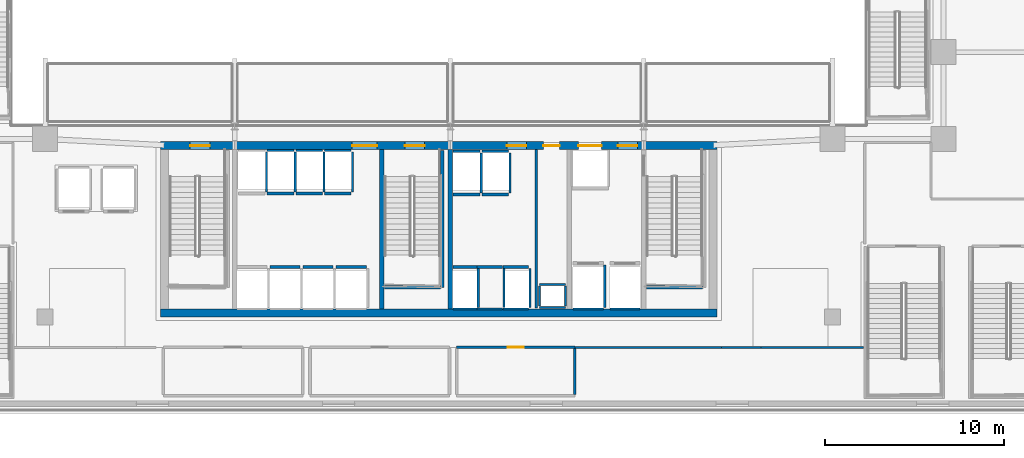
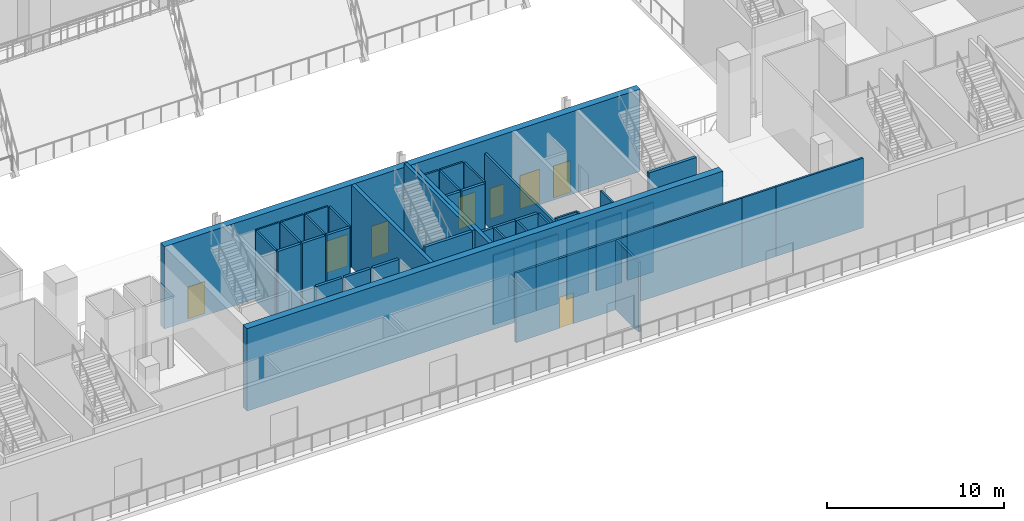
# One storey, part 9 of 30: 48 walls, 8 doors, 8 openings.
"""IFC4 building model written with IfcOpenShell, lengths in metres."""

from ifc_helpers import new_model, si_unit, direction, frame, frame_2d, origin, place, context, subcontext, project, spatial, rectangle, extrude, material, layer, layer_set, type_object, element, fill, save


model = new_model("IFC4")

# Units and contexts
model_context = context("Model", 3, precision=1e-05, world=origin(), true_north=direction((0.0, 1.0)))
body_context = subcontext(model_context, "Body", "Model", "MODEL_VIEW")
ifc_project = project(units=[si_unit("LENGTHUNIT", "METRE"), si_unit("AREAUNIT", "SQUARE_METRE"), si_unit("VOLUMEUNIT", "CUBIC_METRE"), si_unit("PLANEANGLEUNIT", "RADIAN"), si_unit("MASSUNIT", "GRAM", prefix="KILO")], contexts=[model_context])

# Site, building, storey
site_placement = place(None, origin())
site = spatial("IfcSite", under=ifc_project, at=site_placement, CompositionType="ELEMENT")
building_placement = place(site_placement, origin())
building = spatial("IfcBuilding", under=site, at=building_placement, Name="Ndaravel Arena Tower", CompositionType="ELEMENT")
storey_placement = place(building_placement, frame((0.0, 0.0, 6.0)))
storey = spatial("IfcBuildingStorey", under=building, at=storey_placement, Name="L01", CompositionType="ELEMENT", Elevation=6.0)

# Walls
ifc_material_1 = material(Name="Gypsum", Category="gypsum")
ifc_layer_1 = layer(ifc_material_1, 0.14990234375)
ifc_layer_set_1 = layer_set([ifc_layer_1], Name="Gypsum")
wall_type_1 = type_object("IfcWallType", Name="WALL-COMP-150", PredefinedType="PARTITIONING", material=ifc_layer_set_1)
wall_1_placement = place(storey_placement, frame((47.449951171875, 5.89990234375, 0.0), z_axis=(0.0, 0.0, 1.0), x_axis=(0.0, 1.0, 0.0)))
element("IfcWall", 1, at=wall_1_placement, inside=storey, type_object=wall_type_1, Name="L01 Core Riser Bay Partition", PredefinedType="PARTITIONING", context=body_context, shape_type="SweptSolid", body=[
    extrude(rectangle(XDim=8.85009765625, YDim=0.14990234375, at=frame_2d((4.425048828125, 0.0))), origin(), (0.0, 0.0, 1.0), 4.819091796875),
])
ifc_material_2 = material(Name="Concrete C60/75", Category="concrete")
ifc_layer_2 = layer(ifc_material_2, 0.25)
ifc_layer_set_2 = layer_set([ifc_layer_2], Name="Concrete C60/75")
wall_type_2 = type_object("IfcWallType", Name="WALL-CORE-250", PredefinedType="SOLIDWALL", material=ifc_layer_set_2)
for number, where, z_axis, x_axis, name in (
    (2, (38.800048828125, 5.85009765625, 0.0), (0.0, 0.0, 1.0), (0.0, 1.0, 0.0), "L01 Core Web Shear Wall 2"),
    (3, (42.64990234375, 5.85009765625, 0.0), (0.0, 0.0, 1.0), (0.0, 1.0, 0.0), "L01 Core Web Shear Wall 3"),
):
    element("IfcWall", number, at=place(storey_placement, frame(where, z_axis=z_axis, x_axis=x_axis)), inside=storey, type_object=wall_type_2, Name=name, PredefinedType="SOLIDWALL", context=body_context, shape_type="SweptSolid", body=[
        extrude(rectangle(XDim=8.89990234375, YDim=0.25, at=frame_2d((4.449951171875, 0.0))), origin(), (0.0, 0.0, 1.0), 5.699951171875),
    ])

# Wall, openings, doors
ifc_material_3 = material(Name="Concrete C60/75", Category="concrete")
ifc_layer_3 = layer(ifc_material_3, 0.449951171875)
ifc_layer_set_3 = layer_set([ifc_layer_3], Name="Concrete C60/75")
wall_type_3 = type_object("IfcWallType", Name="WALL-CORE-450", PredefinedType="SOLIDWALL", material=ifc_layer_set_3)
wall_2_placement = place(storey_placement, frame((26.449951171875, 14.97509765625, 0.0), z_axis=(0.0, 0.0, 1.0), x_axis=(1.0, 0.0, 0.0)))
wall_2 = element("IfcWall", 4, at=wall_2_placement, inside=storey, type_object=wall_type_3, Name="L01 Core North Shear Wall", PredefinedType="SOLIDWALL", context=body_context, shape_type="SweptSolid", body=[
    extrude(rectangle(XDim=31.10009765625, YDim=0.449951171875, at=frame_2d((15.550048828125, 0.0))), origin(), (0.0, 0.0, 1.0), 5.699951171875),
])
opening_1_placement = place(wall_2_placement, frame((1.64990234375, 0.0, 0.0)))
opening_1 = element("IfcOpeningElement", 5, at=opening_1_placement, cuts=wall_2, Name="Opening FD-01", PredefinedType="OPENING", context=body_context, shape_type="SweptSolid", body=[
    extrude(rectangle(XDim=1.10009765625, YDim=2.199951171875, at=frame_2d((0.550048828125, 1.10009765625))), frame((0.0, 0.22509765625, 0.0), z_axis=(0.0, -1.0, 0.0), x_axis=(1.0, 0.0, 0.0)), (0.0, 0.0, 1.0), 0.449951171875),
])
opening_2_placement = place(wall_2_placement, frame((13.64990234375, 0.0, 0.0)))
opening_2 = element("IfcOpeningElement", 6, at=opening_2_placement, cuts=wall_2, Name="Opening FD-01", PredefinedType="OPENING", context=body_context, shape_type="SweptSolid", body=[
    extrude(rectangle(XDim=1.10009765625, YDim=2.199951171875, at=frame_2d((0.550048828125, 1.10009765625))), frame((0.0, 0.22509765625, 0.0), z_axis=(0.0, -1.0, 0.0), x_axis=(1.0, 0.0, 0.0)), (0.0, 0.0, 1.0), 0.449951171875),
])
opening_3_placement = place(wall_2_placement, frame((25.550048828125, 0.0, 0.0)))
opening_3 = element("IfcOpeningElement", 7, at=opening_3_placement, cuts=wall_2, Name="Opening FD-01", PredefinedType="OPENING", context=body_context, shape_type="SweptSolid", body=[
    extrude(rectangle(XDim=1.10009765625, YDim=2.199951171875, at=frame_2d((0.550048828125, 1.10009765625))), frame((0.0, 0.22509765625, 0.0), z_axis=(0.0, -1.0, 0.0), x_axis=(1.0, 0.0, 0.0)), (0.0, 0.0, 1.0), 0.449951171875),
])
opening_4_placement = place(wall_2_placement, frame((10.699951171875, 0.0, 0.0)))
opening_4 = element("IfcOpeningElement", 8, at=opening_4_placement, cuts=wall_2, Name="Opening ID-02", PredefinedType="OPENING", context=body_context, shape_type="SweptSolid", body=[
    extrude(rectangle(XDim=1.39990234375, YDim=2.199951171875, at=frame_2d((0.699951171875, 1.10009765625))), frame((0.0, 0.22509765625, 0.0), z_axis=(0.0, -1.0, 0.0), x_axis=(1.0, 0.0, 0.0)), (0.0, 0.0, 1.0), 0.449951171875),
])
opening_5_placement = place(wall_2_placement, frame((19.35009765625, 0.0, 0.0)))
opening_5 = element("IfcOpeningElement", 9, at=opening_5_placement, cuts=wall_2, Name="Opening FD-01", PredefinedType="OPENING", context=body_context, shape_type="SweptSolid", body=[
    extrude(rectangle(XDim=1.10009765625, YDim=2.199951171875, at=frame_2d((0.550048828125, 1.10009765625))), frame((0.0, 0.22509765625, 0.0), z_axis=(0.0, -1.0, 0.0), x_axis=(1.0, 0.0, 0.0)), (0.0, 0.0, 1.0), 0.449951171875),
])
opening_6_placement = place(wall_2_placement, frame((21.39990234375, 0.0, 0.0)))
opening_6 = element("IfcOpeningElement", 10, at=opening_6_placement, cuts=wall_2, Name="Opening RD-01", PredefinedType="OPENING", context=body_context, shape_type="SweptSolid", body=[
    extrude(rectangle(XDim=0.89990234375, YDim=2.10009765625, at=frame_2d((0.449951171875, 1.050048828125))), frame((0.0, 0.22509765625, 0.0), z_axis=(0.0, -1.0, 0.0), x_axis=(1.0, 0.0, 0.0)), (0.0, 0.0, 1.0), 0.449951171875),
])
opening_7_placement = place(wall_2_placement, frame((23.35009765625, 0.0, 0.0)))
opening_7 = element("IfcOpeningElement", 11, at=opening_7_placement, cuts=wall_2, Name="Opening LD-02", PredefinedType="OPENING", context=body_context, shape_type="SweptSolid", body=[
    extrude(rectangle(XDim=1.300048828125, YDim=2.300048828125, at=frame_2d((0.64990234375, 1.14990234375))), frame((0.0, 0.22509765625, 0.0), z_axis=(0.0, -1.0, 0.0), x_axis=(1.0, 0.0, 0.0)), (0.0, 0.0, 1.0), 0.449951171875),
])
ifc_material_4 = material(Name="Steel S355", Category="steel")
door_type_1 = type_object("IfcDoorType", Name="DT-01-STAIR-1100", OperationType="SINGLE_SWING_LEFT", PredefinedType="DOOR", material=ifc_material_4)
door_1_placement = place(opening_1_placement, origin())
door_1 = element("IfcDoor", 12, at=door_1_placement, inside=storey, type_object=door_type_1, Name="L01 Exit Stair ST-1 Door", OperationType="SINGLE_SWING_RIGHT", OverallHeight=2.199951171875, OverallWidth=1.10009765625, PredefinedType="DOOR", context=body_context, shape_type="SweptSolid", body=[
    extrude(rectangle(XDim=1.10009765625, YDim=2.199951171875, at=frame_2d((0.550048828125, 1.10009765625))), frame((0.0, 0.02490234375, 0.0), z_axis=(0.0, -1.0, 0.0), x_axis=(1.0, 0.0, 0.0)), (0.0, 0.0, 1.0), 0.050048828125),
])
fill(opening_1, door_1)
door_2_placement = place(opening_2_placement, origin())
door_2 = element("IfcDoor", 13, at=door_2_placement, inside=storey, type_object=door_type_1, Name="L01 Exit Stair ST-2 Door", OperationType="SINGLE_SWING_LEFT", OverallHeight=2.199951171875, OverallWidth=1.10009765625, PredefinedType="DOOR", context=body_context, shape_type="SweptSolid", body=[
    extrude(rectangle(XDim=1.10009765625, YDim=2.199951171875, at=frame_2d((0.550048828125, 1.10009765625))), frame((0.0, 0.02490234375, 0.0), z_axis=(0.0, -1.0, 0.0), x_axis=(1.0, 0.0, 0.0)), (0.0, 0.0, 1.0), 0.050048828125),
])
fill(opening_2, door_2)
door_3_placement = place(opening_3_placement, origin())
door_3 = element("IfcDoor", 14, at=door_3_placement, inside=storey, type_object=door_type_1, Name="L01 Firefighting Lift Lobby Door", OperationType="SINGLE_SWING_RIGHT", OverallHeight=2.199951171875, OverallWidth=1.10009765625, PredefinedType="DOOR", context=body_context, shape_type="SweptSolid", body=[
    extrude(rectangle(XDim=1.10009765625, YDim=2.199951171875, at=frame_2d((0.550048828125, 1.10009765625))), frame((0.0, 0.02490234375, 0.0), z_axis=(0.0, -1.0, 0.0), x_axis=(1.0, 0.0, 0.0)), (0.0, 0.0, 1.0), 0.050048828125),
])
fill(opening_3, door_3)
door_4_placement = place(opening_5_placement, origin())
door_4 = element("IfcDoor", 15, at=door_4_placement, inside=storey, type_object=door_type_1, Name="L01 Express Lift Lobby Entry Door", OperationType="SINGLE_SWING_LEFT", OverallHeight=2.199951171875, OverallWidth=1.10009765625, PredefinedType="DOOR", context=body_context, shape_type="SweptSolid", body=[
    extrude(rectangle(XDim=1.10009765625, YDim=2.199951171875, at=frame_2d((0.550048828125, 1.10009765625))), frame((0.0, 0.02490234375, 0.0), z_axis=(0.0, -1.0, 0.0), x_axis=(1.0, 0.0, 0.0)), (0.0, 0.0, 1.0), 0.050048828125),
])
fill(opening_5, door_4)
ifc_material_5 = material(Name="Timber", Category="wood")
door_type_2 = type_object("IfcDoorType", Name="DT-04-SUITE-1400", OperationType="DOUBLE_DOOR_SINGLE_SWING", PredefinedType="DOOR", material=ifc_material_5)
door_5_placement = place(opening_4_placement, origin())
door_5 = element("IfcDoor", 16, at=door_5_placement, inside=storey, type_object=door_type_2, Name="L01 West Lift Lobby Entry Door", OperationType="DOUBLE_DOOR_SINGLE_SWING", OverallHeight=2.199951171875, OverallWidth=1.39990234375, PredefinedType="DOOR", context=body_context, shape_type="SweptSolid", body=[
    extrude(rectangle(XDim=1.39990234375, YDim=2.199951171875, at=frame_2d((0.699951171875, 1.10009765625))), frame((0.0, 0.02490234375, 0.0), z_axis=(0.0, -1.0, 0.0), x_axis=(1.0, 0.0, 0.0)), (0.0, 0.0, 1.0), 0.050048828125),
])
fill(opening_4, door_5)
ifc_material_6 = material(Name="Steel S355", Category="steel")
door_type_3 = type_object("IfcDoorType", Name="DT-07-SVLIFT-1300", OperationType="DOUBLE_DOOR_SLIDING", PredefinedType="DOOR", material=ifc_material_6)
door_6_placement = place(opening_7_placement, origin())
door_6 = element("IfcDoor", 17, at=door_6_placement, inside=storey, type_object=door_type_3, Name="L01 Lift SVL-1 Sliding Landing Door", OperationType="DOUBLE_DOOR_SLIDING", OverallHeight=2.300048828125, OverallWidth=1.300048828125, PredefinedType="DOOR", context=body_context, shape_type="SweptSolid", body=[
    extrude(rectangle(XDim=1.300048828125, YDim=2.300048828125, at=frame_2d((0.64990234375, 1.14990234375))), frame((0.0, 0.02490234375, 0.0), z_axis=(0.0, -1.0, 0.0), x_axis=(1.0, 0.0, 0.0)), (0.0, 0.0, 1.0), 0.050048828125),
])
fill(opening_7, door_6)
ifc_material_7 = material(Name="Steel S355", Category="steel")
door_type_4 = type_object("IfcDoorType", Name="DT-08-RISER-900", OperationType="SINGLE_SWING_LEFT", PredefinedType="DOOR", material=ifc_material_7)
door_7_placement = place(opening_6_placement, origin())
door_7 = element("IfcDoor", 18, at=door_7_placement, inside=storey, type_object=door_type_4, Name="L01 Core Service Riser North Door", OperationType="SINGLE_SWING_LEFT", OverallHeight=2.10009765625, OverallWidth=0.89990234375, PredefinedType="DOOR", context=body_context, shape_type="SweptSolid", body=[
    extrude(rectangle(XDim=0.89990234375, YDim=2.10009765625, at=frame_2d((0.449951171875, 1.050048828125))), frame((0.0, 0.02490234375, 0.0), z_axis=(0.0, -1.0, 0.0), x_axis=(1.0, 0.0, 0.0)), (0.0, 0.0, 1.0), 0.050048828125),
])
fill(opening_6, door_7)

# Walls
wall_3_placement = place(storey_placement, frame((26.449951171875, 5.625, 0.0), z_axis=(0.0, 0.0, 1.0), x_axis=(1.0, 0.0, 0.0)))
element("IfcWall", 19, at=wall_3_placement, inside=storey, type_object=wall_type_3, Name="L01 Core South Shear Wall", PredefinedType="SOLIDWALL", context=body_context, shape_type="SweptSolid", body=[
    extrude(rectangle(XDim=31.10009765625, YDim=0.449951171875, at=frame_2d((15.550048828125, 0.0))), origin(), (0.0, 0.0, 1.0), 5.699951171875),
])
ifc_material_8 = material(Name="Gypsum", Category="gypsum")
ifc_layer_4 = layer(ifc_material_8, 0.125)
ifc_layer_set_4 = layer_set([ifc_layer_4], Name="Gypsum")
wall_type_4 = type_object("IfcWallType", Name="WALL-PART-125", PredefinedType="PARTITIONING", material=ifc_layer_set_4)
wall_4_placement = place(storey_placement, frame((60.0, 3.699951171875, 0.0), z_axis=(0.0, 0.0, 1.0), x_axis=(-1.0, 0.0, 0.0)))
element("IfcWall", 20, at=wall_4_placement, inside=storey, type_object=wall_type_4, Name="L01 Interior Partition 001", PredefinedType="PARTITIONING", context=body_context, shape_type="SweptSolid", body=[
    extrude(rectangle(XDim=2.199951171875, YDim=0.125, at=frame_2d((1.10009765625, 0.0))), origin(), (0.0, 0.0, 1.0), 4.819091796875),
])
wall_5_placement = place(storey_placement, frame((57.800048828125, 3.699951171875, 0.0), z_axis=(0.0, 0.0, 1.0), x_axis=(-1.0, 0.0, 0.0)))
element("IfcWall", 21, at=wall_5_placement, inside=storey, type_object=wall_type_4, Name="L01 Interior Partition 002", PredefinedType="PARTITIONING", context=body_context, shape_type="SweptSolid", body=[
    extrude(rectangle(XDim=8.199951171875, YDim=0.125, at=frame_2d((4.10009765625, 0.0))), origin(), (0.0, 0.0, 1.0), 4.819091796875),
])
wall_6_placement = place(storey_placement, frame((65.72998046875, 3.699951171875, 0.0), z_axis=(0.0, 0.0, 1.0), x_axis=(-1.0, 0.0, 0.0)))
element("IfcWall", 22, at=wall_6_placement, inside=storey, type_object=wall_type_4, Name="L01 Interior Partition 025", PredefinedType="PARTITIONING", context=body_context, shape_type="SweptSolid", body=[
    extrude(rectangle(XDim=5.72998046875, YDim=0.125, at=frame_2d((2.864990234375, 0.0))), origin(), (0.0, 0.0, 1.0), 4.819091796875),
])
ifc_material_9 = material(Name="Concrete C40/50", Category="concrete")
ifc_layer_5 = layer(ifc_material_9, 0.1201171875)
ifc_layer_set_5 = layer_set([ifc_layer_5], Name="Concrete C40/50")
wall_type_5 = type_object("IfcWallType", Name="WALL-SHAFT-120", PredefinedType="SOLIDWALL", material=ifc_layer_set_5)
for number, where, z_axis, x_axis, name in (
    (23, (47.6201171875, 5.919921875, 0.0), (0.0, 0.0, 1.0), (1.0, 0.0, 0.0), "L01 MEP Riser Shaft S Wall"),
    (24, (47.6201171875, 7.219970703125, 0.0), (0.0, 0.0, 1.0), (1.0, 0.0, 0.0), "L01 MEP Riser Shaft N Wall"),
):
    element("IfcWall", number, at=place(storey_placement, frame(where, z_axis=z_axis, x_axis=x_axis)), inside=storey, type_object=wall_type_5, Name=name, PredefinedType="SOLIDWALL", context=body_context, shape_type="SweptSolid", body=[
        extrude(rectangle(XDim=1.4599609375, YDim=0.1201171875, at=frame_2d((0.72998046875, 0.0))), origin(), (0.0, 0.0, 1.0), 4.819091796875),
    ])
for number, where, z_axis, x_axis, name in (
    (25, (47.6201171875, 6.0, 0.0), (0.0, 0.0, 1.0), (0.0, 1.0, 0.0), "L01 MEP Riser Shaft W Wall"),
    (26, (49.080078125, 6.0, 0.0), (0.0, 0.0, 1.0), (0.0, 1.0, 0.0), "L01 MEP Riser Shaft E Wall"),
):
    element("IfcWall", number, at=place(storey_placement, frame(where, z_axis=z_axis, x_axis=x_axis)), inside=storey, type_object=wall_type_5, Name=name, PredefinedType="SOLIDWALL", context=body_context, shape_type="SweptSolid", body=[
        extrude(rectangle(XDim=1.139892578125, YDim=0.1201171875, at=frame_2d((0.56982421875, 0.0))), origin(), (0.0, 0.0, 1.0), 4.819091796875),
    ])
wall_7_placement = place(storey_placement, frame((32.375, 12.389892578125, 0.0), z_axis=(0.0, 0.0, 1.0), x_axis=(0.0, 1.0, 0.0)))
element("IfcWall", 27, at=wall_7_placement, inside=storey, type_object=wall_type_5, Name="L01 PL-M1 Shaft Side R Wall", PredefinedType="SOLIDWALL", context=body_context, shape_type="SweptSolid", body=[
    extrude(rectangle(XDim=2.230224609375, YDim=0.1201171875, at=frame_2d((1.115234375, 0.0))), origin(), (0.0, 0.0, 1.0), 4.819091796875),
])
wall_8_placement = place(storey_placement, frame((32.405029296875, 14.7099609375, 0.0), z_axis=(0.0, 0.0, 1.0), x_axis=(1.0, 0.0, 0.0)))
element("IfcWall", 28, at=wall_8_placement, inside=storey, type_object=wall_type_5, Name="L01 PL-M2 Shaft Rear Wall", PredefinedType="SOLIDWALL", context=body_context, shape_type="SweptSolid", body=[
    extrude(rectangle(XDim=1.489990234375, YDim=0.1201171875, at=frame_2d((0.7451171875, 0.0))), origin(), (0.0, 0.0, 1.0), 4.819091796875),
])
wall_9_placement = place(storey_placement, frame((33.97509765625, 12.389892578125, 0.0), z_axis=(0.0, 0.0, 1.0), x_axis=(0.0, 1.0, 0.0)))
element("IfcWall", 29, at=wall_9_placement, inside=storey, type_object=wall_type_5, Name="L01 PL-M2 Shaft Side R Wall", PredefinedType="SOLIDWALL", context=body_context, shape_type="SweptSolid", body=[
    extrude(rectangle(XDim=2.230224609375, YDim=0.1201171875, at=frame_2d((1.115234375, 0.0))), origin(), (0.0, 0.0, 1.0), 4.819091796875),
])
wall_10_placement = place(storey_placement, frame((34.0048828125, 14.7099609375, 0.0), z_axis=(0.0, 0.0, 1.0), x_axis=(1.0, 0.0, 0.0)))
element("IfcWall", 30, at=wall_10_placement, inside=storey, type_object=wall_type_5, Name="L01 PL-M3 Shaft Rear Wall", PredefinedType="SOLIDWALL", context=body_context, shape_type="SweptSolid", body=[
    extrude(rectangle(XDim=1.490234375, YDim=0.1201171875, at=frame_2d((0.7451171875, 0.0))), origin(), (0.0, 0.0, 1.0), 4.819091796875),
])
wall_11_placement = place(storey_placement, frame((35.574951171875, 12.389892578125, 0.0), z_axis=(0.0, 0.0, 1.0), x_axis=(0.0, 1.0, 0.0)))
element("IfcWall", 31, at=wall_11_placement, inside=storey, type_object=wall_type_5, Name="L01 PL-M3 Shaft Side R Wall", PredefinedType="SOLIDWALL", context=body_context, shape_type="SweptSolid", body=[
    extrude(rectangle(XDim=2.230224609375, YDim=0.1201171875, at=frame_2d((1.115234375, 0.0))), origin(), (0.0, 0.0, 1.0), 4.819091796875),
])
wall_12_placement = place(storey_placement, frame((35.60498046875, 14.7099609375, 0.0), z_axis=(0.0, 0.0, 1.0), x_axis=(1.0, 0.0, 0.0)))
element("IfcWall", 32, at=wall_12_placement, inside=storey, type_object=wall_type_5, Name="L01 PL-M4 Shaft Rear Wall", PredefinedType="SOLIDWALL", context=body_context, shape_type="SweptSolid", body=[
    extrude(rectangle(XDim=1.489990234375, YDim=0.1201171875, at=frame_2d((0.7451171875, 0.0))), origin(), (0.0, 0.0, 1.0), 4.819091796875),
])
wall_13_placement = place(storey_placement, frame((37.175048828125, 12.389892578125, 0.0), z_axis=(0.0, 0.0, 1.0), x_axis=(0.0, 1.0, 0.0)))
element("IfcWall", 33, at=wall_13_placement, inside=storey, type_object=wall_type_5, Name="L01 PL-M4 Shaft Side R Wall", PredefinedType="SOLIDWALL", context=body_context, shape_type="SweptSolid", body=[
    extrude(rectangle(XDim=2.230224609375, YDim=0.1201171875, at=frame_2d((1.115234375, 0.0))), origin(), (0.0, 0.0, 1.0), 4.819091796875),
])
wall_14_placement = place(storey_placement, frame((42.780029296875, 5.840087890625, 0.0), z_axis=(0.0, 0.0, 1.0), x_axis=(1.0, 0.0, 0.0)))
element("IfcWall", 34, at=wall_14_placement, inside=storey, type_object=wall_type_5, Name="L01 PL-H1 Shaft Rear Wall", PredefinedType="SOLIDWALL", context=body_context, shape_type="SweptSolid", body=[
    extrude(rectangle(XDim=1.340087890625, YDim=0.1201171875, at=frame_2d((0.669921875, 0.0))), origin(), (0.0, 0.0, 1.0), 4.819091796875),
])
wall_15_placement = place(storey_placement, frame((44.199951171875, 5.929931640625, 0.0), z_axis=(0.0, 0.0, 1.0), x_axis=(0.0, 1.0, 0.0)))
element("IfcWall", 35, at=wall_15_placement, inside=storey, type_object=wall_type_5, Name="L01 PL-H1 Shaft Side R Wall", PredefinedType="SOLIDWALL", context=body_context, shape_type="SweptSolid", body=[
    extrude(rectangle(XDim=2.18017578125, YDim=0.1201171875, at=frame_2d((1.090087890625, 0.0))), origin(), (0.0, 0.0, 1.0), 4.819091796875),
])
wall_16_placement = place(storey_placement, frame((44.1298828125, 5.840087890625, 0.0), z_axis=(0.0, 0.0, 1.0), x_axis=(1.0, 0.0, 0.0)))
element("IfcWall", 36, at=wall_16_placement, inside=storey, type_object=wall_type_5, Name="L01 PL-H2 Shaft Rear Wall", PredefinedType="SOLIDWALL", context=body_context, shape_type="SweptSolid", body=[
    extrude(rectangle(XDim=1.440185546875, YDim=0.1201171875, at=frame_2d((0.72021484375, 0.0))), origin(), (0.0, 0.0, 1.0), 4.819091796875),
])
wall_17_placement = place(storey_placement, frame((45.64990234375, 5.929931640625, 0.0), z_axis=(0.0, 0.0, 1.0), x_axis=(0.0, 1.0, 0.0)))
element("IfcWall", 37, at=wall_17_placement, inside=storey, type_object=wall_type_5, Name="L01 PL-H2 Shaft Side R Wall", PredefinedType="SOLIDWALL", context=body_context, shape_type="SweptSolid", body=[
    extrude(rectangle(XDim=2.18017578125, YDim=0.1201171875, at=frame_2d((1.090087890625, 0.0))), origin(), (0.0, 0.0, 1.0), 4.819091796875),
])
wall_18_placement = place(storey_placement, frame((45.580078125, 5.840087890625, 0.0), z_axis=(0.0, 0.0, 1.0), x_axis=(1.0, 0.0, 0.0)))
element("IfcWall", 38, at=wall_18_placement, inside=storey, type_object=wall_type_5, Name="L01 PL-H3 Shaft Rear Wall", PredefinedType="SOLIDWALL", context=body_context, shape_type="SweptSolid", body=[
    extrude(rectangle(XDim=1.43994140625, YDim=0.1201171875, at=frame_2d((0.719970703125, 0.0))), origin(), (0.0, 0.0, 1.0), 4.819091796875),
])
wall_19_placement = place(storey_placement, frame((47.10009765625, 5.929931640625, 0.0), z_axis=(0.0, 0.0, 1.0), x_axis=(0.0, 1.0, 0.0)))
element("IfcWall", 39, at=wall_19_placement, inside=storey, type_object=wall_type_5, Name="L01 PL-H3 Shaft Side R Wall", PredefinedType="SOLIDWALL", context=body_context, shape_type="SweptSolid", body=[
    extrude(rectangle(XDim=2.18017578125, YDim=0.1201171875, at=frame_2d((1.090087890625, 0.0))), origin(), (0.0, 0.0, 1.0), 4.819091796875),
])
wall_20_placement = place(storey_placement, frame((42.804931640625, 14.659912109375, 0.0), z_axis=(0.0, 0.0, 1.0), x_axis=(1.0, 0.0, 0.0)))
element("IfcWall", 40, at=wall_20_placement, inside=storey, type_object=wall_type_5, Name="L01 PL-OBS1 Shaft Rear Wall", PredefinedType="SOLIDWALL", context=body_context, shape_type="SweptSolid", body=[
    extrude(rectangle(XDim=1.489990234375, YDim=0.1201171875, at=frame_2d((0.7451171875, 0.0))), origin(), (0.0, 0.0, 1.0), 4.819091796875),
])
wall_21_placement = place(storey_placement, frame((44.375, 12.340087890625, 0.0), z_axis=(0.0, 0.0, 1.0), x_axis=(0.0, 1.0, 0.0)))
element("IfcWall", 41, at=wall_21_placement, inside=storey, type_object=wall_type_5, Name="L01 PL-OBS1 Shaft Side R Wall", PredefinedType="SOLIDWALL", context=body_context, shape_type="SweptSolid", body=[
    extrude(rectangle(XDim=2.22998046875, YDim=0.1201171875, at=frame_2d((1.114990234375, 0.0))), origin(), (0.0, 0.0, 1.0), 4.819091796875),
])
wall_22_placement = place(storey_placement, frame((44.405029296875, 14.659912109375, 0.0), z_axis=(0.0, 0.0, 1.0), x_axis=(1.0, 0.0, 0.0)))
element("IfcWall", 42, at=wall_22_placement, inside=storey, type_object=wall_type_5, Name="L01 PL-OBS2 Shaft Rear Wall", PredefinedType="SOLIDWALL", context=body_context, shape_type="SweptSolid", body=[
    extrude(rectangle(XDim=1.489990234375, YDim=0.1201171875, at=frame_2d((0.7451171875, 0.0))), origin(), (0.0, 0.0, 1.0), 4.819091796875),
])
wall_23_placement = place(storey_placement, frame((45.97509765625, 12.340087890625, 0.0), z_axis=(0.0, 0.0, 1.0), x_axis=(0.0, 1.0, 0.0)))
element("IfcWall", 43, at=wall_23_placement, inside=storey, type_object=wall_type_5, Name="L01 PL-OBS2 Shaft Side R Wall", PredefinedType="SOLIDWALL", context=body_context, shape_type="SweptSolid", body=[
    extrude(rectangle(XDim=2.22998046875, YDim=0.1201171875, at=frame_2d((1.114990234375, 0.0))), origin(), (0.0, 0.0, 1.0), 4.819091796875),
])
wall_24_placement = place(storey_placement, frame((49.5048828125, 5.840087890625, 0.0), z_axis=(0.0, 0.0, 1.0), x_axis=(1.0, 0.0, 0.0)))
element("IfcWall", 44, at=wall_24_placement, inside=storey, type_object=wall_type_5, Name="L01 FFL-1 Shaft Rear Wall", PredefinedType="SOLIDWALL", context=body_context, shape_type="SweptSolid", body=[
    extrude(rectangle(XDim=1.690185546875, YDim=0.1201171875, at=frame_2d((0.84521484375, 0.0))), origin(), (0.0, 0.0, 1.0), 4.819091796875),
])
wall_25_placement = place(storey_placement, frame((51.27490234375, 5.929931640625, 0.0), z_axis=(0.0, 0.0, 1.0), x_axis=(0.0, 1.0, 0.0)))
element("IfcWall", 45, at=wall_25_placement, inside=storey, type_object=wall_type_5, Name="L01 FFL-1 Shaft Side R Wall", PredefinedType="SOLIDWALL", context=body_context, shape_type="SweptSolid", body=[
    extrude(rectangle(XDim=2.380126953125, YDim=0.1201171875, at=frame_2d((1.18994140625, 0.0))), origin(), (0.0, 0.0, 1.0), 4.819091796875),
])
wall_26_placement = place(storey_placement, frame((51.554931640625, 5.840087890625, 0.0), z_axis=(0.0, 0.0, 1.0), x_axis=(1.0, 0.0, 0.0)))
element("IfcWall", 46, at=wall_26_placement, inside=storey, type_object=wall_type_5, Name="L01 FFL-2 Shaft Rear Wall", PredefinedType="SOLIDWALL", context=body_context, shape_type="SweptSolid", body=[
    extrude(rectangle(XDim=1.690185546875, YDim=0.1201171875, at=frame_2d((0.84521484375, 0.0))), origin(), (0.0, 0.0, 1.0), 4.819091796875),
])
ifc_material_10 = material(Name="Concrete C40/50", Category="concrete")
ifc_layer_6 = layer(ifc_material_10, 0.199951171875)
ifc_layer_set_6 = layer_set([ifc_layer_6], Name="Concrete C40/50")
wall_type_6 = type_object("IfcWallType", Name="WALL-SHAFT-200", PredefinedType="SOLIDWALL", material=ifc_layer_set_6)
wall_27_placement = place(storey_placement, frame((42.18994140625, 14.699951171875, 0.0), z_axis=(0.0, 0.0, 1.0), x_axis=(0.0, -1.0, 0.0)))
element("IfcWall", 47, at=wall_27_placement, inside=storey, type_object=wall_type_6, Name="L01 ST-2 Structural Shaft Wall Right", PredefinedType="SOLIDWALL", context=body_context, shape_type="SweptSolid", body=[
    extrude(rectangle(XDim=7.64990234375, YDim=0.199951171875, at=frame_2d((3.824951171875, 0.0))), origin(), (0.0, 0.0, 1.0), 6.0),
])
for number, where, z_axis, x_axis, name in (
    (48, (38.969970703125, 7.050048828125, 0.0), (0.0, 0.0, 1.0), (1.0, 0.0, 0.0), "L01 ST-2 Structural Shaft Wall Far"),
    (49, (53.6201171875, 7.050048828125, 0.0), (0.0, 0.0, 1.0), (1.0, 0.0, 0.0), "L01 ST-3 Structural Shaft Wall Far"),
):
    element("IfcWall", number, at=place(storey_placement, frame(where, z_axis=z_axis, x_axis=x_axis)), inside=storey, type_object=wall_type_6, Name=name, PredefinedType="SOLIDWALL", context=body_context, shape_type="SweptSolid", body=[
        extrude(rectangle(XDim=3.114990234375, YDim=0.199951171875, at=frame_2d((1.5576171875, 0.0))), origin(), (0.0, 0.0, 1.0), 6.0),
    ])
wall_28_placement = place(storey_placement, frame((32.554931640625, 8.199951171875, 0.0), z_axis=(0.0, 0.0, 1.0), x_axis=(1.0, 0.0, 0.0)))
element("IfcWall", 50, at=wall_28_placement, inside=storey, type_object=wall_type_6, Name="L01 PL-L2 Shaft Landing Wall", PredefinedType="SOLIDWALL", context=body_context, shape_type="SweptSolid", body=[
    extrude(rectangle(XDim=1.690185546875, YDim=0.179931640625, at=frame_2d((0.84521484375, 0.0))), origin(), (0.0, 0.0, 1.0), 4.819091796875),
])
wall_29_placement = place(storey_placement, frame((34.405029296875, 8.199951171875, 0.0), z_axis=(0.0, 0.0, 1.0), x_axis=(1.0, 0.0, 0.0)))
element("IfcWall", 51, at=wall_29_placement, inside=storey, type_object=wall_type_6, Name="L01 PL-L3 Shaft Landing Wall", PredefinedType="SOLIDWALL", context=body_context, shape_type="SweptSolid", body=[
    extrude(rectangle(XDim=1.68994140625, YDim=0.179931640625, at=frame_2d((0.844970703125, 0.0))), origin(), (0.0, 0.0, 1.0), 4.819091796875),
])
wall_30_placement = place(storey_placement, frame((36.2548828125, 8.199951171875, 0.0), z_axis=(0.0, 0.0, 1.0), x_axis=(1.0, 0.0, 0.0)))
element("IfcWall", 52, at=wall_30_placement, inside=storey, type_object=wall_type_6, Name="L01 PL-L4 Shaft Landing Wall", PredefinedType="SOLIDWALL", context=body_context, shape_type="SweptSolid", body=[
    extrude(rectangle(XDim=1.690185546875, YDim=0.179931640625, at=frame_2d((0.84521484375, 0.0))), origin(), (0.0, 0.0, 1.0), 4.819091796875),
])
wall_31_placement = place(storey_placement, frame((32.405029296875, 12.300048828125, 0.0), z_axis=(0.0, 0.0, 1.0), x_axis=(1.0, 0.0, 0.0)))
element("IfcWall", 53, at=wall_31_placement, inside=storey, type_object=wall_type_6, Name="L01 PL-M2 Shaft Landing Wall", PredefinedType="SOLIDWALL", context=body_context, shape_type="SweptSolid", body=[
    extrude(rectangle(XDim=1.489990234375, YDim=0.179931640625, at=frame_2d((0.7451171875, 0.0))), origin(), (0.0, 0.0, 1.0), 4.819091796875),
])
wall_32_placement = place(storey_placement, frame((34.0048828125, 12.300048828125, 0.0), z_axis=(0.0, 0.0, 1.0), x_axis=(1.0, 0.0, 0.0)))
element("IfcWall", 54, at=wall_32_placement, inside=storey, type_object=wall_type_6, Name="L01 PL-M3 Shaft Landing Wall", PredefinedType="SOLIDWALL", context=body_context, shape_type="SweptSolid", body=[
    extrude(rectangle(XDim=1.490234375, YDim=0.179931640625, at=frame_2d((0.7451171875, 0.0))), origin(), (0.0, 0.0, 1.0), 4.819091796875),
])
wall_33_placement = place(storey_placement, frame((35.60498046875, 12.300048828125, 0.0), z_axis=(0.0, 0.0, 1.0), x_axis=(1.0, 0.0, 0.0)))
element("IfcWall", 55, at=wall_33_placement, inside=storey, type_object=wall_type_6, Name="L01 PL-M4 Shaft Landing Wall", PredefinedType="SOLIDWALL", context=body_context, shape_type="SweptSolid", body=[
    extrude(rectangle(XDim=1.489990234375, YDim=0.179931640625, at=frame_2d((0.7451171875, 0.0))), origin(), (0.0, 0.0, 1.0), 4.819091796875),
])
wall_34_placement = place(storey_placement, frame((42.780029296875, 8.199951171875, 0.0), z_axis=(0.0, 0.0, 1.0), x_axis=(1.0, 0.0, 0.0)))
element("IfcWall", 56, at=wall_34_placement, inside=storey, type_object=wall_type_6, Name="L01 PL-H1 Shaft Landing Wall", PredefinedType="SOLIDWALL", context=body_context, shape_type="SweptSolid", body=[
    extrude(rectangle(XDim=1.340087890625, YDim=0.179931640625, at=frame_2d((0.669921875, 0.0))), origin(), (0.0, 0.0, 1.0), 4.819091796875),
])
wall_35_placement = place(storey_placement, frame((44.1298828125, 8.199951171875, 0.0), z_axis=(0.0, 0.0, 1.0), x_axis=(1.0, 0.0, 0.0)))
element("IfcWall", 57, at=wall_35_placement, inside=storey, type_object=wall_type_6, Name="L01 PL-H2 Shaft Landing Wall", PredefinedType="SOLIDWALL", context=body_context, shape_type="SweptSolid", body=[
    extrude(rectangle(XDim=1.440185546875, YDim=0.179931640625, at=frame_2d((0.72021484375, 0.0))), origin(), (0.0, 0.0, 1.0), 4.819091796875),
])
wall_36_placement = place(storey_placement, frame((45.580078125, 8.199951171875, 0.0), z_axis=(0.0, 0.0, 1.0), x_axis=(1.0, 0.0, 0.0)))
element("IfcWall", 58, at=wall_36_placement, inside=storey, type_object=wall_type_6, Name="L01 PL-H3 Shaft Landing Wall", PredefinedType="SOLIDWALL", context=body_context, shape_type="SweptSolid", body=[
    extrude(rectangle(XDim=1.43994140625, YDim=0.179931640625, at=frame_2d((0.719970703125, 0.0))), origin(), (0.0, 0.0, 1.0), 4.819091796875),
])
for number, where, z_axis, x_axis, name in (
    (59, (42.804931640625, 12.25, 0.0), (0.0, 0.0, 1.0), (1.0, 0.0, 0.0), "L01 PL-OBS1 Shaft Landing Wall"),
    (60, (44.405029296875, 12.25, 0.0), (0.0, 0.0, 1.0), (1.0, 0.0, 0.0), "L01 PL-OBS2 Shaft Landing Wall"),
):
    element("IfcWall", number, at=place(storey_placement, frame(where, z_axis=z_axis, x_axis=x_axis)), inside=storey, type_object=wall_type_6, Name=name, PredefinedType="SOLIDWALL", context=body_context, shape_type="SweptSolid", body=[
        extrude(rectangle(XDim=1.489990234375, YDim=0.179931640625, at=frame_2d((0.7451171875, 0.0))), origin(), (0.0, 0.0, 1.0), 4.819091796875),
    ])

# Wall, opening, door
ifc_material_11 = material(Name="Masonry", Category="masonry")
ifc_layer_7 = layer(ifc_material_11, 0.14990234375)
ifc_layer_set_7 = layer_set([ifc_layer_7], Name="Masonry")
wall_type_7 = type_object("IfcWallType", Name="WALL-WET-150", PredefinedType="PARTITIONING", material=ifc_layer_set_7)
wall_37_placement = place(storey_placement, frame((49.60009765625, 3.699951171875, 0.0), z_axis=(0.0, 0.0, 1.0), x_axis=(-1.0, 0.0, 0.0)))
wall_37 = element("IfcWall", 61, at=wall_37_placement, inside=storey, type_object=wall_type_7, Name="L01 Interior Partition 003", PredefinedType="PARTITIONING", context=body_context, shape_type="SweptSolid", body=[
    extrude(rectangle(XDim=6.60009765625, YDim=0.14990234375, at=frame_2d((3.300048828125, 0.0))), origin(), (0.0, 0.0, 1.0), 4.819091796875),
])
opening_8_placement = place(wall_37_placement, frame((2.85009765625, 0.0, 0.0)))
opening_8 = element("IfcOpeningElement", 62, at=opening_8_placement, cuts=wall_37, Name="Opening WD-01", PredefinedType="OPENING", context=body_context, shape_type="SweptSolid", body=[
    extrude(rectangle(XDim=0.89990234375, YDim=2.14990234375, at=frame_2d((0.449951171875, 1.074951171875))), frame((0.0, 0.074951171875, 0.0), z_axis=(0.0, -1.0, 0.0), x_axis=(1.0, 0.0, 0.0)), (0.0, 0.0, 1.0), 0.14990234375),
])
ifc_material_12 = material(Name="Timber", Category="wood")
door_type_5 = type_object("IfcDoorType", Name="DT-05-WC-900", OperationType="SINGLE_SWING_LEFT", PredefinedType="DOOR", material=ifc_material_12)
door_8_placement = place(opening_8_placement, origin())
door_8 = element("IfcDoor", 63, at=door_8_placement, inside=storey, type_object=door_type_5, Name="L01 Concourse Accessible WC Door", OperationType="SINGLE_SWING_RIGHT", OverallHeight=2.14990234375, OverallWidth=0.89990234375, PredefinedType="DOOR", context=body_context, shape_type="SweptSolid", body=[
    extrude(rectangle(XDim=0.89990234375, YDim=2.14990234375, at=frame_2d((0.449951171875, 1.074951171875))), frame((0.0, 0.02490234375, 0.0), z_axis=(0.0, -1.0, 0.0), x_axis=(1.0, 0.0, 0.0)), (0.0, 0.0, 1.0), 0.050048828125),
])
fill(opening_8, door_8)

# Wall
wall_38_placement = place(storey_placement, frame((49.60009765625, 3.635009765625, 0.0), z_axis=(0.0, 0.0, 1.0), x_axis=(0.0, -1.0, 0.0)))
element("IfcWall", 64, at=wall_38_placement, inside=storey, type_object=wall_type_7, Name="L01 Interior Partition 041", PredefinedType="PARTITIONING", context=body_context, shape_type="SweptSolid", body=[
    extrude(rectangle(XDim=2.570068359375, YDim=0.14990234375, at=frame_2d((1.28515625, 0.0))), origin(), (0.0, 0.0, 1.0), 4.819091796875),
])

save(model, "model.ifc")
